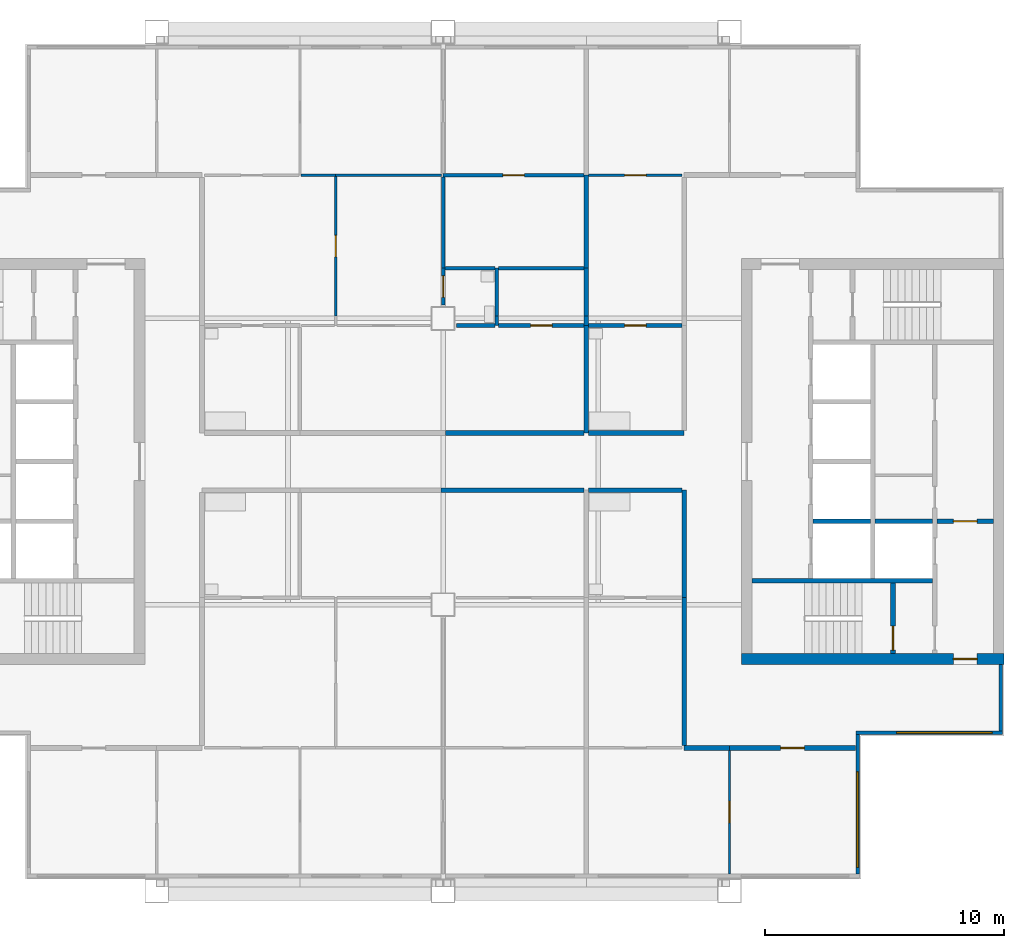
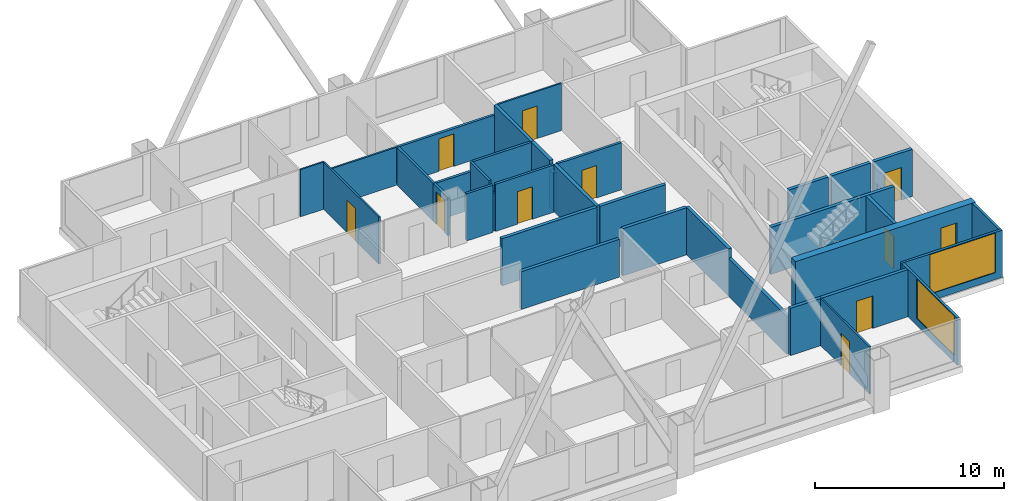
# One storey, part 4 of 8: 36 walls, 11 doors, 2 windows, 13 openings.
"""IFC4 building model written with IfcOpenShell, lengths in metres."""

import ifcopenshell
import ifcopenshell.guid

model = None  # the IFC model being written
_history = None  # IfcOwnerHistory: only IFC2X3 demands one
_inside = {}  # id of a spatial element -> (the spatial element, [elements in it])
_under = {}  # id of a project, library or spatial element -> (it, [spatial elements below it])
_declared = {}  # id of a project -> (the project, [libraries it declares])
_typed = {}  # id of a type object -> (the type object, [elements of that type])
_made_of = {}  # id of a material, layer set ... -> (it, [elements and type objects made of it])


def new_model(schema):
    """Start an empty IFC model of exactly this schema.

    Asked for "IFC4X3", IfcOpenShell would pick the latest addendum, in which some entities
    have other attributes; the version numbers below select the first issue.
    IFC2X3 requires an IfcOwnerHistory on every rooted entity: one is made here for all.
    """
    global model, _history
    if schema == "IFC4X3":
        model = ifcopenshell.file(schema_version=(4, 3, 0, 0))
    else:
        model = ifcopenshell.file(schema=schema)
    _inside.clear()
    _under.clear()
    _declared.clear()
    _typed.clear()
    _made_of.clear()
    _history = None
    if model.schema == "IFC2X3":
        org = make("IfcOrganization", Name="unknown")
        user = make(
            "IfcPersonAndOrganization",
            ThePerson=make("IfcPerson", FamilyName="unknown"),
            TheOrganization=org,
        )
        app = make(
            "IfcApplication",
            ApplicationDeveloper=org,
            Version="unknown",
            ApplicationFullName="unknown",
            ApplicationIdentifier="unknown",
        )
        _history = make(
            "IfcOwnerHistory",
            OwningUser=user,
            OwningApplication=app,
            ChangeAction="ADDED",
            CreationDate=0,
        )
    return model


def make(cls, **values):
    """One entity of the class cls with the attributes given. An attribute that is None is left unset."""
    return model.create_entity(
        cls, **{name: value for name, value in values.items() if value is not None}
    )


def rooted(cls, **values):
    """An entity with a GlobalId (a new one), such as an element, a storey or a relation."""
    return make(cls, GlobalId=ifcopenshell.guid.new(), OwnerHistory=_history, **values)


def si_unit(unit_type, name, prefix=None):
    """IfcSIUnit, for example si_unit("LENGTHUNIT", "METRE", prefix="MILLI")."""
    return make("IfcSIUnit", UnitType=unit_type, Prefix=prefix, Name=name)


def assignment(units):
    """IfcUnitAssignment: the units of a project."""
    return None if units is None else make("IfcUnitAssignment", Units=units)


def point(xyz):
    """IfcCartesianPoint."""
    return None if xyz is None else make("IfcCartesianPoint", Coordinates=xyz)


def direction(xyz):
    """IfcDirection."""
    return None if xyz is None else make("IfcDirection", DirectionRatios=xyz)


def frame(location, z_axis=None, x_axis=None):
    """IfcAxis2Placement3D, a coordinate frame: its origin and axes. An axis left out is left unset."""
    return make(
        "IfcAxis2Placement3D",
        Location=point(location),
        Axis=direction(z_axis),
        RefDirection=direction(x_axis),
    )


def frame_2d(location, x_axis=None):
    """IfcAxis2Placement2D, a coordinate frame in the plane: its origin and x axis."""
    return make(
        "IfcAxis2Placement2D", Location=point(location), RefDirection=direction(x_axis)
    )


def origin():
    """The frame at (0, 0, 0) with its axes left unset."""
    return frame((0.0, 0.0, 0.0))


def place(relative_to, where):
    """IfcLocalPlacement: puts the frame where relative to a parent placement (None: the world)."""
    return make(
        "IfcLocalPlacement", PlacementRelTo=relative_to, RelativePlacement=where
    )


def context(
    kind, dimensions, precision=None, world=None, true_north=None, identifier=None
):
    """IfcGeometricRepresentationContext, for example the 3D "Model" context."""
    return make(
        "IfcGeometricRepresentationContext",
        ContextIdentifier=identifier,
        ContextType=kind,
        CoordinateSpaceDimension=dimensions,
        Precision=precision,
        WorldCoordinateSystem=world,
        TrueNorth=true_north,
    )


def subcontext(parent, identifier, kind, view, scale=None):
    """IfcGeometricRepresentationSubContext, for example "Body" below "Model"."""
    return make(
        "IfcGeometricRepresentationSubContext",
        ContextIdentifier=identifier,
        ContextType=kind,
        ParentContext=parent,
        TargetScale=scale,
        TargetView=view,
    )


def project(units=None, contexts=None):
    """IfcProject with its units and contexts."""
    return rooted(
        "IfcProject",
        Name="project",
        RepresentationContexts=contexts,
        UnitsInContext=assignment(units),
    )


def spatial(cls, under=None, at=None, **own):
    """A site, building, storey or space (cls), placed at a placement, below another one or the project."""
    s = rooted(cls, ObjectPlacement=at, **own)
    if under is not None:
        _under.setdefault(under.id(), (under, []))[1].append(s)
    return s


def profile(cls, at=None, kind="AREA", **sizes):
    """A parametric profile (cls). Its sizes go by their IFC names, for example OverallWidth=200.0."""
    return make(cls, ProfileType=kind, Position=at, **sizes)


def rectangle(**sizes):
    """IfcRectangleProfileDef."""
    return profile("IfcRectangleProfileDef", **sizes)


def extrude(swept, where, along, depth):
    """IfcExtrudedAreaSolid: the profile swept, set in the frame where, extruded along a direction by depth."""
    return make(
        "IfcExtrudedAreaSolid",
        SweptArea=swept,
        Position=where,
        ExtrudedDirection=direction(along),
        Depth=depth,
    )


def shape(context_of_items, identifier, shape_type, items):
    """IfcShapeRepresentation: the items that make up one representation, for example the "Body"."""
    return make(
        "IfcShapeRepresentation",
        ContextOfItems=context_of_items,
        RepresentationIdentifier=identifier,
        RepresentationType=shape_type,
        Items=items,
    )


def material(Name=None, Category=None):
    """IfcMaterial."""
    return make("IfcMaterial", Name=Name, Category=Category)


def layer(
    of_material, thickness, ventilated=None, Name=None, Category=None, Priority=None
):
    """IfcMaterialLayer: one layer of a wall or slab, of a material (None: an air gap)."""
    return make(
        "IfcMaterialLayer",
        Material=of_material,
        LayerThickness=thickness,
        IsVentilated=ventilated,
        Name=Name,
        Category=Category,
        Priority=Priority,
    )


def layer_set(layers, Name=None):
    """IfcMaterialLayerSet."""
    return make("IfcMaterialLayerSet", MaterialLayers=layers, LayerSetName=Name)


def made_of(thing, what):
    """Note that an element or type object is made of a material, layer set ...; save() writes the relation."""
    if what is not None:
        _made_of.setdefault(what.id(), (what, []))[1].append(thing)
    return thing


def type_object(cls, material=None, **own):
    """A type object (cls), such as IfcWallType, which elements share."""
    return made_of(rooted(cls, **own), material)


def element(
    cls,
    number,
    at=None,
    inside=None,
    cuts=None,
    type_object=None,
    material=None,
    context=None,
    identifier="Body",
    shape_type=None,
    held_by="IfcProductDefinitionShape",
    body=None,
    shapes=None,
    **own,
):
    """One element of the class cls, such as IfcWall. Its Tag is "e" and its number.

    at: its placement. inside: the storey or other place that contains it. cuts: it is an
    opening in that element (IfcRelVoidsElement). A single representation is given by context,
    identifier, shape_type and body (its items); several are given by shapes. held_by: the class
    of the entity that holds the representations. save() writes the other relations.
    """
    e = rooted(cls, Tag="e%d" % number, ObjectPlacement=at, **own)
    if body is not None:
        shapes = [shape(context, identifier, shape_type, body)]
    if shapes is not None:
        e.Representation = make(held_by, Representations=shapes)
    if inside is not None:
        _inside.setdefault(inside.id(), (inside, []))[1].append(e)
    if cuts is not None:
        rooted(
            "IfcRelVoidsElement", RelatingBuildingElement=cuts, RelatedOpeningElement=e
        )
    if type_object is not None:
        _typed.setdefault(type_object.id(), (type_object, []))[1].append(e)
    return made_of(e, material)


def fill(opening, filler):
    """IfcRelFillsElement: the door or window that sits in an opening."""
    return rooted(
        "IfcRelFillsElement",
        RelatingOpeningElement=opening,
        RelatedBuildingElement=filler,
    )


def aggregate(whole, parts):
    """IfcRelAggregates: a whole, such as a stair, and the parts it consists of."""
    return rooted("IfcRelAggregates", RelatingObject=whole, RelatedObjects=parts)


def save(model, path):
    """Write the relations noted so far, then the file.

    IfcRelAggregates (storeys below a building ...), IfcRelContainedInSpatialStructure (elements
    in a storey), IfcRelDefinesByType, IfcRelAssociatesMaterial and IfcRelDeclares: one each for
    every whole, place, type object, material and project.
    """
    for whole, parts in _under.values():
        aggregate(whole, parts)
    for where, things in _inside.values():
        rooted(
            "IfcRelContainedInSpatialStructure",
            RelatedElements=things,
            RelatingStructure=where,
        )
    for kind, things in _typed.values():
        rooted("IfcRelDefinesByType", RelatedObjects=things, RelatingType=kind)
    for what, things in _made_of.values():
        rooted("IfcRelAssociatesMaterial", RelatedObjects=things, RelatingMaterial=what)
    for by, libraries in _declared.values():
        rooted("IfcRelDeclares", RelatingContext=by, RelatedDefinitions=libraries)
    model.write(path)


model = new_model("IFC4")

# Units and contexts
model_context = context("Model", 3, precision=1e-05, world=origin(), true_north=direction((0.0, 1.0)))
body_context = subcontext(model_context, "Body", "Model", "MODEL_VIEW")
ifc_project = project(units=[si_unit("LENGTHUNIT", "METRE"), si_unit("AREAUNIT", "SQUARE_METRE"), si_unit("VOLUMEUNIT", "CUBIC_METRE"), si_unit("PLANEANGLEUNIT", "RADIAN"), si_unit("MASSUNIT", "GRAM", prefix="KILO")], contexts=[model_context])

# Site, building, storey
site_placement = place(None, origin())
site = spatial("IfcSite", under=ifc_project, at=site_placement, CompositionType="ELEMENT")
building_placement = place(site_placement, origin())
building = spatial("IfcBuilding", under=site, at=building_placement, Name="Kitamizu Gate Tower and Museum", CompositionType="ELEMENT")
storey_placement = place(building_placement, frame((0.0, 0.0, 259.35009765625)))
storey = spatial("IfcBuildingStorey", under=building, at=storey_placement, Name="L70", CompositionType="ELEMENT", Elevation=259.35009765625)

# Wall, opening, door
ifc_material_1 = material(Name="Concrete Fc42", Category="concrete")
ifc_layer_1 = layer(ifc_material_1, 0.449951171875)
ifc_layer_set_1 = layer_set([ifc_layer_1], Name="Concrete Fc42")
wall_type_1 = type_object("IfcWallType", Name="Core wall 450 EI 90", PredefinedType="SHEAR", material=ifc_layer_set_1)
wall_1_placement = place(storey_placement, frame((59.5, 21.72509765625, 0.0), z_axis=(0.0, 0.0, 1.0), x_axis=(-1.0, 0.0, 0.0)))
wall_1 = element("IfcWall", 1, at=wall_1_placement, inside=storey, type_object=wall_type_1, Name="Core wall ES", PredefinedType="SHEAR", context=body_context, shape_type="SweptSolid", body=[
    extrude(rectangle(XDim=11.0, YDim=0.449951171875, at=frame_2d((5.5, 0.0))), origin(), (0.0, 0.0, 1.0), 3.0498046875),
])
opening_1_placement = place(wall_1_placement, frame((1.125, 0.0, 0.0)))
opening_1 = element("IfcOpeningElement", 2, at=opening_1_placement, cuts=wall_1, Name="Opening L70-044", PredefinedType="OPENING", context=body_context, shape_type="SweptSolid", body=[
    extrude(rectangle(XDim=1.0, YDim=2.10009765625, at=frame_2d((0.5, 1.050048828125))), frame((0.0, 0.23486328125, 0.0), z_axis=(0.0, -1.0, 0.0), x_axis=(1.0, 0.0, 0.0)), (0.0, 0.0, 1.0), 0.469970703125),
])
ifc_material_2 = material(Name="Hollow metal door set")
door_type_1 = type_object("IfcDoorType", Name="Fire door 1000", OperationType="NOTDEFINED", PredefinedType="DOOR", material=ifc_material_2)
door_1_placement = place(opening_1_placement, frame((1.0, 0.0, 0.0), x_axis=(-1.0, 0.0, 0.0)))
door_1 = element("IfcDoor", 3, at=door_1_placement, inside=storey, type_object=door_type_1, Name="Fire-fighting lobby door L70-044", OperationType="SINGLE_SWING_RIGHT", OverallHeight=2.10009765625, OverallWidth=1.0, PredefinedType="DOOR", context=body_context, shape_type="SweptSolid", body=[
    extrude(rectangle(XDim=1.0, YDim=2.10009765625, at=frame_2d((0.5, 1.050048828125))), frame((0.0, 0.02490234375, 0.0), z_axis=(0.0, -1.0, 0.0), x_axis=(1.0, 0.0, 0.0)), (0.0, 0.0, 1.0), 0.050048828125),
])
fill(opening_1, door_1)

# Walls
ifc_material_3 = material(Name="Gypsum board on galvanised stud")
ifc_layer_2 = layer(ifc_material_3, 0.10009765625)
ifc_layer_set_2 = layer_set([ifc_layer_2], Name="Gypsum board on galvanised stud")
wall_type_2 = type_object("IfcWallType", Name="Partition 100 NOT RATED", PredefinedType="PARTITIONING", material=ifc_layer_set_2)
wall_2_placement = place(storey_placement, frame((30.050048828125, 42.0, 0.0), z_axis=(0.0, 0.0, 1.0), x_axis=(1.0, 0.0, 0.0)))
element("IfcWall", 4, at=wall_2_placement, inside=storey, type_object=wall_type_2, Name="Partition L70-032", PredefinedType="PARTITIONING", context=body_context, shape_type="SweptSolid", body=[
    extrude(rectangle(XDim=1.449951171875, YDim=0.10009765625, at=frame_2d((0.72509765625, 0.0))), origin(), (0.0, 0.0, 1.0), 3.0498046875),
])
wall_3_placement = place(storey_placement, frame((31.5, 42.0, 0.0), z_axis=(0.0, 0.0, 1.0), x_axis=(1.0, 0.0, 0.0)))
element("IfcWall", 5, at=wall_3_placement, inside=storey, type_object=wall_type_2, Name="Partition L70-033", PredefinedType="PARTITIONING", context=body_context, shape_type="SweptSolid", body=[
    extrude(rectangle(XDim=4.425048828125, YDim=0.10009765625, at=frame_2d((2.21240234375, 0.0))), origin(), (0.0, 0.0, 1.0), 2.449951171875),
])

# Wall, opening, door
wall_4_placement = place(storey_placement, frame((31.5, 36.10009765625, 0.0), z_axis=(0.0, 0.0, 1.0), x_axis=(0.0, 1.0, 0.0)))
wall_4 = element("IfcWall", 6, at=wall_4_placement, inside=storey, type_object=wall_type_2, Name="Partition L70-037", PredefinedType="PARTITIONING", context=body_context, shape_type="SweptSolid", body=[
    extrude(rectangle(XDim=5.849853515625, YDim=0.10009765625, at=frame_2d((2.9248046875, 0.0))), origin(), (0.0, 0.0, 1.0), 3.0498046875),
])
opening_2_placement = place(wall_4_placement, frame((2.47509765625, 0.0, 0.0)))
opening_2 = element("IfcOpeningElement", 7, at=opening_2_placement, cuts=wall_4, Name="Opening L70-015", PredefinedType="OPENING", context=body_context, shape_type="SweptSolid", body=[
    extrude(rectangle(XDim=0.89990234375, YDim=2.10009765625, at=frame_2d((0.449951171875, 1.050048828125))), frame((0.0, 0.06005859375, 0.0), z_axis=(0.0, -1.0, 0.0), x_axis=(1.0, 0.0, 0.0)), (0.0, 0.0, 1.0), 0.1201171875),
])
ifc_material_4 = material(Name="Timber door set", Category="wood")
door_type_2 = type_object("IfcDoorType", Name="Room door 900", OperationType="NOTDEFINED", PredefinedType="DOOR", material=ifc_material_4)
door_2_placement = place(opening_2_placement, frame((0.89990234375, 0.0, 0.0), x_axis=(-1.0, 0.0, 0.0)))
door_2 = element("IfcDoor", 8, at=door_2_placement, inside=storey, type_object=door_type_2, Name="Door L70-015", OperationType="SINGLE_SWING_LEFT", OverallHeight=2.10009765625, OverallWidth=0.89990234375, PredefinedType="DOOR", context=body_context, shape_type="SweptSolid", body=[
    extrude(rectangle(XDim=0.89990234375, YDim=2.10009765625, at=frame_2d((0.449951171875, 1.050048828125))), frame((0.0, 0.02490234375, 0.0), z_axis=(0.0, -1.0, 0.0), x_axis=(1.0, 0.0, 0.0)), (0.0, 0.0, 1.0), 0.050048828125),
])
fill(opening_2, door_2)

wall_5_placement = place(storey_placement, frame((48.0, 12.719970703125, 0.0), z_axis=(0.0, 0.0, 1.0), x_axis=(0.0, 1.0, 0.0)))
wall_5 = element("IfcWall", 9, at=wall_5_placement, inside=storey, type_object=wall_type_2, Name="Partition L70-059", PredefinedType="PARTITIONING", context=body_context, shape_type="SweptSolid", body=[
    extrude(rectangle(XDim=5.179931640625, YDim=0.10009765625, at=frame_2d((2.58984375, 0.0))), origin(), (0.0, 0.0, 1.0), 3.0498046875),
])
opening_3_placement = place(wall_5_placement, frame((2.139892578125, 0.0, 0.0)))
opening_3 = element("IfcOpeningElement", 10, at=opening_3_placement, cuts=wall_5, Name="Opening L70-022", PredefinedType="OPENING", context=body_context, shape_type="SweptSolid", body=[
    extrude(rectangle(XDim=0.89990234375, YDim=2.10009765625, at=frame_2d((0.449951171875, 1.050048828125))), frame((0.0, 0.06005859375, 0.0), z_axis=(0.0, -1.0, 0.0), x_axis=(1.0, 0.0, 0.0)), (0.0, 0.0, 1.0), 0.1201171875),
])
door_3_placement = place(opening_3_placement, origin())
door_3 = element("IfcDoor", 11, at=door_3_placement, inside=storey, type_object=door_type_2, Name="Door L70-022", OperationType="SINGLE_SWING_LEFT", OverallHeight=2.10009765625, OverallWidth=0.89990234375, PredefinedType="DOOR", context=body_context, shape_type="SweptSolid", body=[
    extrude(rectangle(XDim=0.89990234375, YDim=2.10009765625, at=frame_2d((0.449951171875, 1.050048828125))), frame((0.0, 0.02490234375, 0.0), z_axis=(0.0, -1.0, 0.0), x_axis=(1.0, 0.0, 0.0)), (0.0, 0.0, 1.0), 0.050048828125),
])
fill(opening_3, door_3)

wall_6_placement = place(storey_placement, frame((42.10009765625, 42.0, 0.0), z_axis=(0.0, 0.0, 1.0), x_axis=(1.0, 0.0, 0.0)))
wall_6 = element("IfcWall", 12, at=wall_6_placement, inside=storey, type_object=wall_type_2, Name="Partition L70-068", PredefinedType="PARTITIONING", context=body_context, shape_type="SweptSolid", body=[
    extrude(rectangle(XDim=3.89990234375, YDim=0.10009765625, at=frame_2d((1.949951171875, 0.0))), origin(), (0.0, 0.0, 1.0), 3.0498046875),
])
opening_4_placement = place(wall_6_placement, frame((1.5, 0.0, 0.0)))
opening_4 = element("IfcOpeningElement", 13, at=opening_4_placement, cuts=wall_6, Name="Opening L70-027", PredefinedType="OPENING", context=body_context, shape_type="SweptSolid", body=[
    extrude(rectangle(XDim=0.89990234375, YDim=2.10009765625, at=frame_2d((0.449951171875, 1.050048828125))), frame((0.0, 0.06005859375, 0.0), z_axis=(0.0, -1.0, 0.0), x_axis=(1.0, 0.0, 0.0)), (0.0, 0.0, 1.0), 0.1201171875),
])
door_4_placement = place(opening_4_placement, frame((0.89990234375, 0.0, 0.0), x_axis=(-1.0, 0.0, 0.0)))
door_4 = element("IfcDoor", 14, at=door_4_placement, inside=storey, type_object=door_type_2, Name="Door L70-027", OperationType="SINGLE_SWING_LEFT", OverallHeight=2.10009765625, OverallWidth=0.89990234375, PredefinedType="DOOR", context=body_context, shape_type="SweptSolid", body=[
    extrude(rectangle(XDim=0.89990234375, YDim=2.10009765625, at=frame_2d((0.449951171875, 1.050048828125))), frame((0.0, 0.02490234375, 0.0), z_axis=(0.0, -1.0, 0.0), x_axis=(1.0, 0.0, 0.0)), (0.0, 0.0, 1.0), 0.050048828125),
])
fill(opening_4, door_4)

ifc_material_5 = material(Name="Gypsum board on galvanised stud")
ifc_layer_3 = layer(ifc_material_5, 0.14990234375)
ifc_layer_set_3 = layer_set([ifc_layer_3], Name="Gypsum board on galvanised stud")
wall_type_3 = type_object("IfcWallType", Name="Partition 150", PredefinedType="PARTITIONING", material=ifc_layer_set_3)
wall_7_placement = place(storey_placement, frame((36.0, 42.0, 0.0), z_axis=(0.0, 0.0, 1.0), x_axis=(1.0, 0.0, 0.0)))
wall_7 = element("IfcWall", 15, at=wall_7_placement, inside=storey, type_object=wall_type_3, Name="Partition L70-034", PredefinedType="PARTITIONING", context=body_context, shape_type="SweptSolid", body=[
    extrude(rectangle(XDim=5.89990234375, YDim=0.14990234375, at=frame_2d((2.949951171875, 0.0))), origin(), (0.0, 0.0, 1.0), 2.449951171875),
])
opening_5_placement = place(wall_7_placement, frame((2.5, 0.0, 0.0)))
opening_5 = element("IfcOpeningElement", 16, at=opening_5_placement, cuts=wall_7, Name="Opening L70-017", PredefinedType="OPENING", context=body_context, shape_type="SweptSolid", body=[
    extrude(rectangle(XDim=0.89990234375, YDim=2.10009765625, at=frame_2d((0.449951171875, 1.050048828125))), frame((0.0, 0.0849609375, 0.0), z_axis=(0.0, -1.0, 0.0), x_axis=(1.0, 0.0, 0.0)), (0.0, 0.0, 1.0), 0.169921875),
])
ifc_material_6 = material(Name="Timber door set", Category="wood")
door_type_3 = type_object("IfcDoorType", Name="Bathroom door 900", OperationType="NOTDEFINED", PredefinedType="DOOR", material=ifc_material_6)
door_5_placement = place(opening_5_placement, frame((0.89990234375, 0.0, 0.0), x_axis=(-1.0, 0.0, 0.0)))
door_5 = element("IfcDoor", 17, at=door_5_placement, inside=storey, type_object=door_type_3, Name="Bathroom door L70-017", OperationType="SINGLE_SWING_LEFT", OverallHeight=2.10009765625, OverallWidth=0.89990234375, PredefinedType="DOOR", context=body_context, shape_type="SweptSolid", body=[
    extrude(rectangle(XDim=0.89990234375, YDim=2.10009765625, at=frame_2d((0.449951171875, 1.050048828125))), frame((0.0, 0.02490234375, 0.0), z_axis=(0.0, -1.0, 0.0), x_axis=(1.0, 0.0, 0.0)), (0.0, 0.0, 1.0), 0.050048828125),
])
fill(opening_5, door_5)

wall_8_placement = place(storey_placement, frame((36.0, 36.550048828125, 0.0), z_axis=(0.0, 0.0, 1.0), x_axis=(0.0, 1.0, 0.0)))
wall_8 = element("IfcWall", 18, at=wall_8_placement, inside=storey, type_object=wall_type_3, Name="Partition L70-041", PredefinedType="PARTITIONING", context=body_context, shape_type="SweptSolid", body=[
    extrude(rectangle(XDim=1.550048828125, YDim=0.14990234375, at=frame_2d((0.77490234375, 0.0))), origin(), (0.0, 0.0, 1.0), 2.449951171875),
])
opening_6_placement = place(wall_8_placement, frame((0.324951171875, 0.0, 0.0)))
opening_6 = element("IfcOpeningElement", 19, at=opening_6_placement, cuts=wall_8, Name="Opening L70-016", PredefinedType="OPENING", context=body_context, shape_type="SweptSolid", body=[
    extrude(rectangle(XDim=0.89990234375, YDim=2.10009765625, at=frame_2d((0.449951171875, 1.050048828125))), frame((0.0, 0.0849609375, 0.0), z_axis=(0.0, -1.0, 0.0), x_axis=(1.0, 0.0, 0.0)), (0.0, 0.0, 1.0), 0.169921875),
])
door_6_placement = place(opening_6_placement, frame((0.89990234375, 0.0, 0.0), x_axis=(-1.0, 0.0, 0.0)))
door_6 = element("IfcDoor", 20, at=door_6_placement, inside=storey, type_object=door_type_3, Name="Bathroom door L70-016", OperationType="SINGLE_SWING_RIGHT", OverallHeight=2.10009765625, OverallWidth=0.89990234375, PredefinedType="DOOR", context=body_context, shape_type="SweptSolid", body=[
    extrude(rectangle(XDim=0.89990234375, YDim=2.10009765625, at=frame_2d((0.449951171875, 1.050048828125))), frame((0.0, 0.02490234375, 0.0), z_axis=(0.0, -1.0, 0.0), x_axis=(1.0, 0.0, 0.0)), (0.0, 0.0, 1.0), 0.050048828125),
])
fill(opening_6, door_6)

# Walls
wall_9_placement = place(storey_placement, frame((36.0, 38.10009765625, 0.0), z_axis=(0.0, 0.0, 1.0), x_axis=(0.0, 1.0, 0.0)))
element("IfcWall", 21, at=wall_9_placement, inside=storey, type_object=wall_type_3, Name="Partition L70-042", PredefinedType="PARTITIONING", context=body_context, shape_type="SweptSolid", body=[
    extrude(rectangle(XDim=3.824951171875, YDim=0.14990234375, at=frame_2d((1.91259765625, 0.0))), origin(), (0.0, 0.0, 1.0), 2.449951171875),
])
wall_10_placement = place(storey_placement, frame((38.25, 35.699951171875, 0.0), z_axis=(0.0, 0.0, 1.0), x_axis=(0.0, 1.0, 0.0)))
element("IfcWall", 22, at=wall_10_placement, inside=storey, type_object=wall_type_3, Name="Partition L70-044", PredefinedType="PARTITIONING", context=body_context, shape_type="SweptSolid", body=[
    extrude(rectangle(XDim=0.400146484375, YDim=0.14990234375, at=frame_2d((0.2001953125, 0.0))), origin(), (0.0, 0.0, 1.0), 2.449951171875),
])
wall_11_placement = place(storey_placement, frame((38.25, 36.10009765625, 0.0), z_axis=(0.0, 0.0, 1.0), x_axis=(0.0, 1.0, 0.0)))
element("IfcWall", 23, at=wall_11_placement, inside=storey, type_object=wall_type_3, Name="Partition L70-045", PredefinedType="PARTITIONING", context=body_context, shape_type="SweptSolid", body=[
    extrude(rectangle(XDim=2.0, YDim=0.14990234375, at=frame_2d((1.0, 0.0))), origin(), (0.0, 0.0, 1.0), 3.0498046875),
])
wall_12_placement = place(storey_placement, frame((38.175048828125, 38.10009765625, 0.0), z_axis=(0.0, 0.0, 1.0), x_axis=(-1.0, 0.0, 0.0)))
element("IfcWall", 24, at=wall_12_placement, inside=storey, type_object=wall_type_3, Name="Partition L70-046", PredefinedType="PARTITIONING", context=body_context, shape_type="SweptSolid", body=[
    extrude(rectangle(XDim=2.10009765625, YDim=0.14990234375, at=frame_2d((1.050048828125, 0.0))), origin(), (0.0, 0.0, 1.0), 2.449951171875),
])
wall_13_placement = place(storey_placement, frame((36.550048828125, 35.699951171875, 0.0), z_axis=(0.0, 0.0, 1.0), x_axis=(1.0, 0.0, 0.0)))
element("IfcWall", 25, at=wall_13_placement, inside=storey, type_object=wall_type_3, Name="Partition L70-047", PredefinedType="PARTITIONING", context=body_context, shape_type="SweptSolid", body=[
    extrude(rectangle(XDim=1.625, YDim=0.14990234375, at=frame_2d((0.8125, 0.0))), origin(), (0.0, 0.0, 1.0), 3.0498046875),
])
wall_14_placement = place(storey_placement, frame((41.89990234375, 38.10009765625, 0.0), z_axis=(0.0, 0.0, 1.0), x_axis=(-1.0, 0.0, 0.0)))
element("IfcWall", 26, at=wall_14_placement, inside=storey, type_object=wall_type_3, Name="Partition L70-048", PredefinedType="PARTITIONING", context=body_context, shape_type="SweptSolid", body=[
    extrude(rectangle(XDim=3.574951171875, YDim=0.14990234375, at=frame_2d((1.78759765625, 0.0))), origin(), (0.0, 0.0, 1.0), 3.0498046875),
])

# Wall, opening, door
wall_15_placement = place(storey_placement, frame((38.324951171875, 35.699951171875, 0.0), z_axis=(0.0, 0.0, 1.0), x_axis=(1.0, 0.0, 0.0)))
wall_15 = element("IfcWall", 27, at=wall_15_placement, inside=storey, type_object=wall_type_3, Name="Partition L70-049", PredefinedType="PARTITIONING", context=body_context, shape_type="SweptSolid", body=[
    extrude(rectangle(XDim=3.574951171875, YDim=0.14990234375, at=frame_2d((1.78759765625, 0.0))), origin(), (0.0, 0.0, 1.0), 3.0498046875),
])
opening_7_placement = place(wall_15_placement, frame((1.33740234375, 0.0, 0.0)))
opening_7 = element("IfcOpeningElement", 28, at=opening_7_placement, cuts=wall_15, Name="Opening L70-020", PredefinedType="OPENING", context=body_context, shape_type="SweptSolid", body=[
    extrude(rectangle(XDim=0.89990234375, YDim=2.10009765625, at=frame_2d((0.449951171875, 1.050048828125))), frame((0.0, 0.0849609375, 0.0), z_axis=(0.0, -1.0, 0.0), x_axis=(1.0, 0.0, 0.0)), (0.0, 0.0, 1.0), 0.169921875),
])
door_7_placement = place(opening_7_placement, origin())
door_7 = element("IfcDoor", 29, at=door_7_placement, inside=storey, type_object=door_type_3, Name="Bathroom door L70-020", OperationType="SINGLE_SWING_LEFT", OverallHeight=2.10009765625, OverallWidth=0.89990234375, PredefinedType="DOOR", context=body_context, shape_type="SweptSolid", body=[
    extrude(rectangle(XDim=0.89990234375, YDim=2.10009765625, at=frame_2d((0.449951171875, 1.050048828125))), frame((0.0, 0.02490234375, 0.0), z_axis=(0.0, -1.0, 0.0), x_axis=(1.0, 0.0, 0.0)), (0.0, 0.0, 1.0), 0.050048828125),
])
fill(opening_7, door_7)

wall_16_placement = place(storey_placement, frame((42.10009765625, 35.699951171875, 0.0), z_axis=(0.0, 0.0, 1.0), x_axis=(1.0, 0.0, 0.0)))
wall_16 = element("IfcWall", 30, at=wall_16_placement, inside=storey, type_object=wall_type_3, Name="Partition L70-071", PredefinedType="PARTITIONING", context=body_context, shape_type="SweptSolid", body=[
    extrude(rectangle(XDim=3.89990234375, YDim=0.14990234375, at=frame_2d((1.949951171875, 0.0))), origin(), (0.0, 0.0, 1.0), 3.0498046875),
])
opening_8_placement = place(wall_16_placement, frame((1.5, 0.0, 0.0)))
opening_8 = element("IfcOpeningElement", 31, at=opening_8_placement, cuts=wall_16, Name="Opening L70-028", PredefinedType="OPENING", context=body_context, shape_type="SweptSolid", body=[
    extrude(rectangle(XDim=0.89990234375, YDim=2.10009765625, at=frame_2d((0.449951171875, 1.050048828125))), frame((0.0, 0.0849609375, 0.0), z_axis=(0.0, -1.0, 0.0), x_axis=(1.0, 0.0, 0.0)), (0.0, 0.0, 1.0), 0.169921875),
])
door_8_placement = place(opening_8_placement, frame((0.89990234375, 0.0, 0.0), x_axis=(-1.0, 0.0, 0.0)))
door_8 = element("IfcDoor", 32, at=door_8_placement, inside=storey, type_object=door_type_3, Name="Bathroom door L70-028", OperationType="SINGLE_SWING_RIGHT", OverallHeight=2.10009765625, OverallWidth=0.89990234375, PredefinedType="DOOR", context=body_context, shape_type="SweptSolid", body=[
    extrude(rectangle(XDim=0.89990234375, YDim=2.10009765625, at=frame_2d((0.449951171875, 1.050048828125))), frame((0.0, 0.02490234375, 0.0), z_axis=(0.0, -1.0, 0.0), x_axis=(1.0, 0.0, 0.0)), (0.0, 0.0, 1.0), 0.050048828125),
])
fill(opening_8, door_8)

# Walls
ifc_material_7 = material(Name="Gypsum board on galvanised stud")
ifc_layer_4 = layer(ifc_material_7, 0.199951171875)
ifc_layer_set_4 = layer_set([ifc_layer_4], Name="Gypsum board on galvanised stud")
wall_type_4 = type_object("IfcWallType", Name="Partition 200", PredefinedType="PARTITIONING", material=ifc_layer_set_4)
wall_17_placement = place(storey_placement, frame((41.89990234375, 28.800048828125, 0.0), z_axis=(0.0, 0.0, 1.0), x_axis=(-1.0, 0.0, 0.0)))
element("IfcWall", 33, at=wall_17_placement, inside=storey, type_object=wall_type_4, Name="Partition L70-024", PredefinedType="PARTITIONING", context=body_context, shape_type="SweptSolid", body=[
    extrude(rectangle(XDim=6.0, YDim=0.199951171875, at=frame_2d((3.0, 0.0))), origin(), (0.0, 0.0, 1.0), 2.449951171875),
])
wall_18_placement = place(storey_placement, frame((42.0, 35.699951171875, 0.0), z_axis=(0.0, 0.0, 1.0), x_axis=(0.0, 1.0, 0.0)))
element("IfcWall", 34, at=wall_18_placement, inside=storey, type_object=wall_type_4, Name="Partition L70-050", PredefinedType="PARTITIONING", context=body_context, shape_type="SweptSolid", body=[
    extrude(rectangle(XDim=0.400146484375, YDim=0.199951171875, at=frame_2d((0.2001953125, 0.0))), origin(), (0.0, 0.0, 1.0), 2.449951171875),
])
wall_19_placement = place(storey_placement, frame((42.0, 36.10009765625, 0.0), z_axis=(0.0, 0.0, 1.0), x_axis=(0.0, 1.0, 0.0)))
element("IfcWall", 35, at=wall_19_placement, inside=storey, type_object=wall_type_4, Name="Partition L70-051", PredefinedType="PARTITIONING", context=body_context, shape_type="SweptSolid", body=[
    extrude(rectangle(XDim=2.0, YDim=0.199951171875, at=frame_2d((1.0, 0.0))), origin(), (0.0, 0.0, 1.0), 3.0498046875),
])
wall_20_placement = place(storey_placement, frame((42.0, 38.10009765625, 0.0), z_axis=(0.0, 0.0, 1.0), x_axis=(0.0, 1.0, 0.0)))
element("IfcWall", 36, at=wall_20_placement, inside=storey, type_object=wall_type_4, Name="Partition L70-052", PredefinedType="PARTITIONING", context=body_context, shape_type="SweptSolid", body=[
    extrude(rectangle(XDim=3.89990234375, YDim=0.199951171875, at=frame_2d((1.949951171875, 0.0))), origin(), (0.0, 0.0, 1.0), 3.0498046875),
])
wall_21_placement = place(storey_placement, frame((42.0, 31.199951171875, 0.0), z_axis=(0.0, 0.0, 1.0), x_axis=(0.0, 1.0, 0.0)))
element("IfcWall", 37, at=wall_21_placement, inside=storey, type_object=wall_type_4, Name="Partition L70-056", PredefinedType="PARTITIONING", context=body_context, shape_type="SweptSolid", body=[
    extrude(rectangle(XDim=4.5, YDim=0.199951171875, at=frame_2d((2.25, 0.0))), origin(), (0.0, 0.0, 1.0), 3.0498046875),
])
wall_22_placement = place(storey_placement, frame((36.10009765625, 31.199951171875, 0.0), z_axis=(0.0, 0.0, 1.0), x_axis=(1.0, 0.0, 0.0)))
element("IfcWall", 38, at=wall_22_placement, inside=storey, type_object=wall_type_4, Name="Partition L70-058", PredefinedType="PARTITIONING", context=body_context, shape_type="SweptSolid", body=[
    extrude(rectangle(XDim=5.7998046875, YDim=0.199951171875, at=frame_2d((2.89990234375, 0.0))), origin(), (0.0, 0.0, 1.0), 3.0498046875),
])
wall_23_placement = place(storey_placement, frame((48.0, 18.0, 0.0), z_axis=(0.0, 0.0, 1.0), x_axis=(-1.0, 0.0, 0.0)))
element("IfcWall", 39, at=wall_23_placement, inside=storey, type_object=wall_type_4, Name="Partition L70-061", PredefinedType="PARTITIONING", context=body_context, shape_type="SweptSolid", body=[
    extrude(rectangle(XDim=1.89990234375, YDim=0.199951171875, at=frame_2d((0.949951171875, 0.0))), origin(), (0.0, 0.0, 1.0), 3.0498046875),
])

# Wall, opening, door
wall_24_placement = place(storey_placement, frame((53.280029296875, 18.0, 0.0), z_axis=(0.0, 0.0, 1.0), x_axis=(-1.0, 0.0, 0.0)))
wall_24 = element("IfcWall", 40, at=wall_24_placement, inside=storey, type_object=wall_type_4, Name="Partition L70-062", PredefinedType="PARTITIONING", context=body_context, shape_type="SweptSolid", body=[
    extrude(rectangle(XDim=5.280029296875, YDim=0.199951171875, at=frame_2d((2.64013671875, 0.0))), origin(), (0.0, 0.0, 1.0), 3.0498046875),
])
opening_9_placement = place(wall_24_placement, frame((2.139892578125, 0.0, 0.0)))
opening_9 = element("IfcOpeningElement", 41, at=opening_9_placement, cuts=wall_24, Name="Opening L70-021", PredefinedType="OPENING", context=body_context, shape_type="SweptSolid", body=[
    extrude(rectangle(XDim=1.0, YDim=2.10009765625, at=frame_2d((0.5, 1.050048828125))), frame((0.0, 0.10986328125, 0.0), z_axis=(0.0, -1.0, 0.0), x_axis=(1.0, 0.0, 0.0)), (0.0, 0.0, 1.0), 0.219970703125),
])
ifc_material_8 = material(Name="Timber door set", Category="wood")
door_type_4 = type_object("IfcDoorType", Name="Flat entrance door 1000", OperationType="NOTDEFINED", PredefinedType="DOOR", material=ifc_material_8)
door_9_placement = place(opening_9_placement, origin())
door_9 = element("IfcDoor", 42, at=door_9_placement, inside=storey, type_object=door_type_4, Name="Flat entrance door L70-021", OperationType="SINGLE_SWING_RIGHT", OverallHeight=2.10009765625, OverallWidth=1.0, PredefinedType="DOOR", context=body_context, shape_type="SweptSolid", body=[
    extrude(rectangle(XDim=1.0, YDim=2.10009765625, at=frame_2d((0.5, 1.050048828125))), frame((0.0, 0.02490234375, 0.0), z_axis=(0.0, -1.0, 0.0), x_axis=(1.0, 0.0, 0.0)), (0.0, 0.0, 1.0), 0.050048828125),
])
fill(opening_9, door_9)

# Walls
wall_25_placement = place(storey_placement, frame((46.10009765625, 18.10009765625, 0.0), z_axis=(0.0, 0.0, 1.0), x_axis=(0.0, 1.0, 0.0)))
element("IfcWall", 43, at=wall_25_placement, inside=storey, type_object=wall_type_4, Name="Partition L70-064", PredefinedType="PARTITIONING", context=body_context, shape_type="SweptSolid", body=[
    extrude(rectangle(XDim=6.199951171875, YDim=0.199951171875, at=frame_2d((3.10009765625, 0.0))), origin(), (0.0, 0.0, 1.0), 2.449951171875),
])
wall_26_placement = place(storey_placement, frame((46.10009765625, 24.300048828125, 0.0), z_axis=(0.0, 0.0, 1.0), x_axis=(0.0, 1.0, 0.0)))
element("IfcWall", 44, at=wall_26_placement, inside=storey, type_object=wall_type_4, Name="Partition L70-065", PredefinedType="PARTITIONING", context=body_context, shape_type="SweptSolid", body=[
    extrude(rectangle(XDim=4.5, YDim=0.199951171875, at=frame_2d((2.25, 0.0))), origin(), (0.0, 0.0, 1.0), 3.0498046875),
])
wall_27_placement = place(storey_placement, frame((46.0, 28.800048828125, 0.0), z_axis=(0.0, 0.0, 1.0), x_axis=(-1.0, 0.0, 0.0)))
element("IfcWall", 45, at=wall_27_placement, inside=storey, type_object=wall_type_4, Name="Partition L70-066", PredefinedType="PARTITIONING", context=body_context, shape_type="SweptSolid", body=[
    extrude(rectangle(XDim=3.89990234375, YDim=0.199951171875, at=frame_2d((1.949951171875, 0.0))), origin(), (0.0, 0.0, 1.0), 3.0498046875),
])
wall_28_placement = place(storey_placement, frame((42.10009765625, 31.199951171875, 0.0), z_axis=(0.0, 0.0, 1.0), x_axis=(1.0, 0.0, 0.0)))
element("IfcWall", 46, at=wall_28_placement, inside=storey, type_object=wall_type_4, Name="Partition L70-074", PredefinedType="PARTITIONING", context=body_context, shape_type="SweptSolid", body=[
    extrude(rectangle(XDim=4.0, YDim=0.199951171875, at=frame_2d((2.0, 0.0))), origin(), (0.0, 0.0, 1.0), 3.0498046875),
])
ifc_material_9 = material(Name="Concrete Fc42", Category="concrete")
ifc_layer_5 = layer(ifc_material_9, 0.199951171875)
ifc_layer_set_5 = layer_set([ifc_layer_5], Name="Concrete Fc42")
wall_type_5 = type_object("IfcWallType", Name="Shaft wall 200", PredefinedType="SOLIDWALL", material=ifc_layer_set_5)
wall_29_placement = place(storey_placement, frame((56.5, 25.0, 0.0), z_axis=(0.0, 0.0, 1.0), x_axis=(-1.0, 0.0, 0.0)))
element("IfcWall", 47, at=wall_29_placement, inside=storey, type_object=wall_type_5, Name="Shaft wall ESB", PredefinedType="SOLIDWALL", context=body_context, shape_type="SweptSolid", body=[
    extrude(rectangle(XDim=7.550048828125, YDim=0.199951171875, at=frame_2d((3.77490234375, 0.0))), origin(), (0.0, 0.0, 1.0), 3.0498046875),
])

# Wall, opening, door
wall_30_placement = place(storey_placement, frame((59.050048828125, 27.5, 0.0), z_axis=(0.0, 0.0, 1.0), x_axis=(-1.0, 0.0, 0.0)))
wall_30 = element("IfcWall", 48, at=wall_30_placement, inside=storey, type_object=wall_type_5, Name="Shaft wall EFFN", PredefinedType="SOLIDWALL", context=body_context, shape_type="SweptSolid", body=[
    extrude(rectangle(XDim=2.35009765625, YDim=0.199951171875, at=frame_2d((1.175048828125, 0.0))), origin(), (0.0, 0.0, 1.0), 3.0498046875),
])
opening_10_placement = place(wall_30_placement, frame((0.675048828125, 0.0, 0.0)))
opening_10 = element("IfcOpeningElement", 49, at=opening_10_placement, cuts=wall_30, Name="Opening L70-043", PredefinedType="OPENING", context=body_context, shape_type="SweptSolid", body=[
    extrude(rectangle(XDim=1.0, YDim=2.10009765625, at=frame_2d((0.5, 1.050048828125))), frame((0.0, 0.10986328125, 0.0), z_axis=(0.0, -1.0, 0.0), x_axis=(1.0, 0.0, 0.0)), (0.0, 0.0, 1.0), 0.219970703125),
])
door_10_placement = place(opening_10_placement, origin())
door_10 = element("IfcDoor", 50, at=door_10_placement, inside=storey, type_object=door_type_1, Name="Fire-fighting lobby door L70-043", OperationType="SINGLE_SWING_RIGHT", OverallHeight=2.10009765625, OverallWidth=1.0, PredefinedType="DOOR", context=body_context, shape_type="SweptSolid", body=[
    extrude(rectangle(XDim=1.0, YDim=2.10009765625, at=frame_2d((0.5, 1.050048828125))), frame((0.0, 0.02490234375, 0.0), z_axis=(0.0, -1.0, 0.0), x_axis=(1.0, 0.0, 0.0)), (0.0, 0.0, 1.0), 0.050048828125),
])
fill(opening_10, door_10)

wall_31_placement = place(storey_placement, frame((54.85009765625, 21.949951171875, 0.0), z_axis=(0.0, 0.0, 1.0), x_axis=(0.0, 1.0, 0.0)))
wall_31 = element("IfcWall", 51, at=wall_31_placement, inside=storey, type_object=wall_type_5, Name="Shaft wall ESZ", PredefinedType="SOLIDWALL", context=body_context, shape_type="SweptSolid", body=[
    extrude(rectangle(XDim=2.949951171875, YDim=0.199951171875, at=frame_2d((1.47509765625, 0.0))), origin(), (0.0, 0.0, 1.0), 3.0498046875),
])
opening_11_placement = place(wall_31_placement, frame((0.14990234375, 0.0, 0.0)))
opening_11 = element("IfcOpeningElement", 52, at=opening_11_placement, cuts=wall_31, Name="Opening L70-039", PredefinedType="OPENING", context=body_context, shape_type="SweptSolid", body=[
    extrude(rectangle(XDim=1.0, YDim=2.10009765625, at=frame_2d((0.5, 1.050048828125))), frame((0.0, 0.10986328125, 0.0), z_axis=(0.0, -1.0, 0.0), x_axis=(1.0, 0.0, 0.0)), (0.0, 0.0, 1.0), 0.219970703125),
])
door_11_placement = place(opening_11_placement, origin())
door_11 = element("IfcDoor", 53, at=door_11_placement, inside=storey, type_object=door_type_1, Name="Stair door L70-039", OperationType="SINGLE_SWING_RIGHT", OverallHeight=2.10009765625, OverallWidth=1.0, PredefinedType="DOOR", context=body_context, shape_type="SweptSolid", body=[
    extrude(rectangle(XDim=1.0, YDim=2.10009765625, at=frame_2d((0.5, 1.050048828125))), frame((0.0, 0.02490234375, 0.0), z_axis=(0.0, -1.0, 0.0), x_axis=(1.0, 0.0, 0.0)), (0.0, 0.0, 1.0), 0.050048828125),
])
fill(opening_11, door_11)

# Walls
for number, where, z_axis, x_axis, name in (
    (54, (56.5, 27.5, 0.0), (0.0, 0.0, 1.0), (-1.0, 0.0, 0.0), "Shaft wall EDVW0"),
    (55, (53.89990234375, 27.5, 0.0), (0.0, 0.0, 1.0), (-1.0, 0.0, 0.0), "Shaft wall EDVE0"),
):
    element("IfcWall", number, at=place(storey_placement, frame(where, z_axis=z_axis, x_axis=x_axis)), inside=storey, type_object=wall_type_5, Name=name, PredefinedType="SOLIDWALL", context=body_context, shape_type="SweptSolid", body=[
        extrude(rectangle(XDim=2.39990234375, YDim=0.199951171875, at=frame_2d((1.199951171875, 0.0))), origin(), (0.0, 0.0, 1.0), 3.0498046875),
    ])

# Wall, opening, window
ifc_material_10 = material(Name="Bronze anodised aluminium frame with insulated spandrel and tinted glass", Category="aluminium")
ifc_layer_6 = layer(ifc_material_10, 0.14990234375)
ifc_layer_set_6 = layer_set([ifc_layer_6], Name="Bronze anodised aluminium frame with insulated spandrel and tinted glass")
wall_type_6 = type_object("IfcWallType", Name="WINDOW WALL 150 BRONZE FRAME EI 30", PredefinedType="ELEMENTEDWALL", material=ifc_layer_set_6)
wall_32_placement = place(storey_placement, frame((53.364990234375, 12.7099609375, 0.0), z_axis=(0.0, 0.0, 1.0), x_axis=(0.0, 1.0, 0.0)))
wall_32 = element("IfcWall", 56, at=wall_32_placement, inside=storey, type_object=wall_type_6, Name="Window wall east L70", PredefinedType="ELEMENTEDWALL", context=body_context, shape_type="SweptSolid", body=[
    extrude(rectangle(XDim=5.85009765625, YDim=0.14990234375, at=frame_2d((2.925048828125, 0.0))), origin(), (0.0, 0.0, 1.0), 3.0498046875),
])
opening_12_placement = place(wall_32_placement, frame((0.2900390625, 0.0, 0.449951171875)))
opening_12 = element("IfcOpeningElement", 57, at=opening_12_placement, cuts=wall_32, Name="Opening W16", PredefinedType="OPENING", context=body_context, shape_type="SweptSolid", body=[
    extrude(rectangle(XDim=4.0, YDim=2.550048828125, at=frame_2d((2.0, 1.27490234375))), frame((0.0, 0.0849609375, 0.0), z_axis=(0.0, -1.0, 0.0), x_axis=(1.0, 0.0, 0.0)), (0.0, 0.0, 1.0), 0.169921875),
])
ifc_material_11 = material(Name="Bronze anodised aluminium frame, tinted triple glazing", Category="aluminium")
window_type = type_object("IfcWindowType", Name="WINDOW 4000 x 2550 SILL 450", PartitioningType="SINGLE_PANEL", PredefinedType="WINDOW", material=ifc_material_11)
window_1_placement = place(opening_12_placement, origin())
window_1 = element("IfcWindow", 58, at=window_1_placement, inside=storey, type_object=window_type, Name="Window W16 L70", OverallHeight=2.550048828125, OverallWidth=4.0, PartitioningType="SINGLE_PANEL", PredefinedType="WINDOW", context=body_context, shape_type="SweptSolid", body=[
    extrude(rectangle(XDim=4.0, YDim=2.550048828125, at=frame_2d((2.0, 1.27490234375))), frame((0.0, 0.030029296875, 0.0), z_axis=(0.0, -1.0, 0.0), x_axis=(1.0, 0.0, 0.0)), (0.0, 0.0, 1.0), 0.06005859375),
])
fill(opening_12, window_1)

wall_33_placement = place(storey_placement, frame((53.2900390625, 18.635009765625, 0.0), z_axis=(0.0, 0.0, 1.0), x_axis=(1.0, 0.0, 0.0)))
wall_33 = element("IfcWall", 59, at=wall_33_placement, inside=storey, type_object=wall_type_6, Name="Window wall south L70", PredefinedType="ELEMENTEDWALL", context=body_context, shape_type="SweptSolid", body=[
    extrude(rectangle(XDim=6.14990234375, YDim=0.14990234375, at=frame_2d((3.074951171875, 0.0))), origin(), (0.0, 0.0, 1.0), 3.0498046875),
])
opening_13_placement = place(wall_33_placement, frame((1.7099609375, 0.0, 0.449951171875)))
opening_13 = element("IfcOpeningElement", 60, at=opening_13_placement, cuts=wall_33, Name="Opening W16", PredefinedType="OPENING", context=body_context, shape_type="SweptSolid", body=[
    extrude(rectangle(XDim=4.0, YDim=2.550048828125, at=frame_2d((2.0, 1.27490234375))), frame((0.0, 0.0849609375, 0.0), z_axis=(0.0, -1.0, 0.0), x_axis=(1.0, 0.0, 0.0)), (0.0, 0.0, 1.0), 0.169921875),
])
window_2_placement = place(opening_13_placement, origin())
window_2 = element("IfcWindow", 61, at=window_2_placement, inside=storey, type_object=window_type, Name="Window W16 L70", OverallHeight=2.550048828125, OverallWidth=4.0, PartitioningType="SINGLE_PANEL", PredefinedType="WINDOW", context=body_context, shape_type="SweptSolid", body=[
    extrude(rectangle(XDim=4.0, YDim=2.550048828125, at=frame_2d((2.0, 1.27490234375))), frame((0.0, 0.030029296875, 0.0), z_axis=(0.0, -1.0, 0.0), x_axis=(1.0, 0.0, 0.0)), (0.0, 0.0, 1.0), 0.06005859375),
])
fill(opening_13, window_2)

# Wall
wall_34_placement = place(storey_placement, frame((59.364990234375, 18.7099609375, 0.0), z_axis=(0.0, 0.0, 1.0), x_axis=(0.0, 1.0, 0.0)))
element("IfcWall", 62, at=wall_34_placement, inside=storey, type_object=wall_type_6, Name="Window wall east L70", PredefinedType="ELEMENTEDWALL", context=body_context, shape_type="SweptSolid", body=[
    extrude(rectangle(XDim=2.7900390625, YDim=0.14990234375, at=frame_2d((1.39501953125, 0.0))), origin(), (0.0, 0.0, 1.0), 3.0498046875),
])

save(model, "model.ifc")
